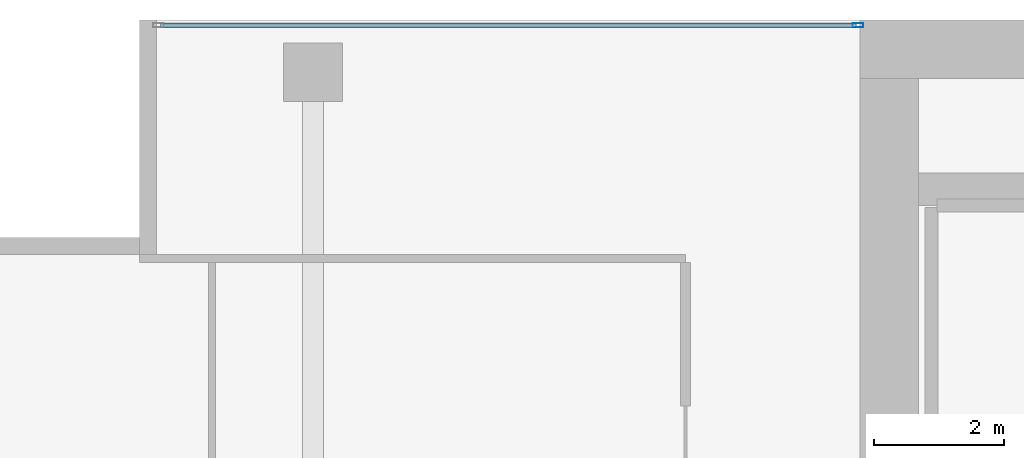
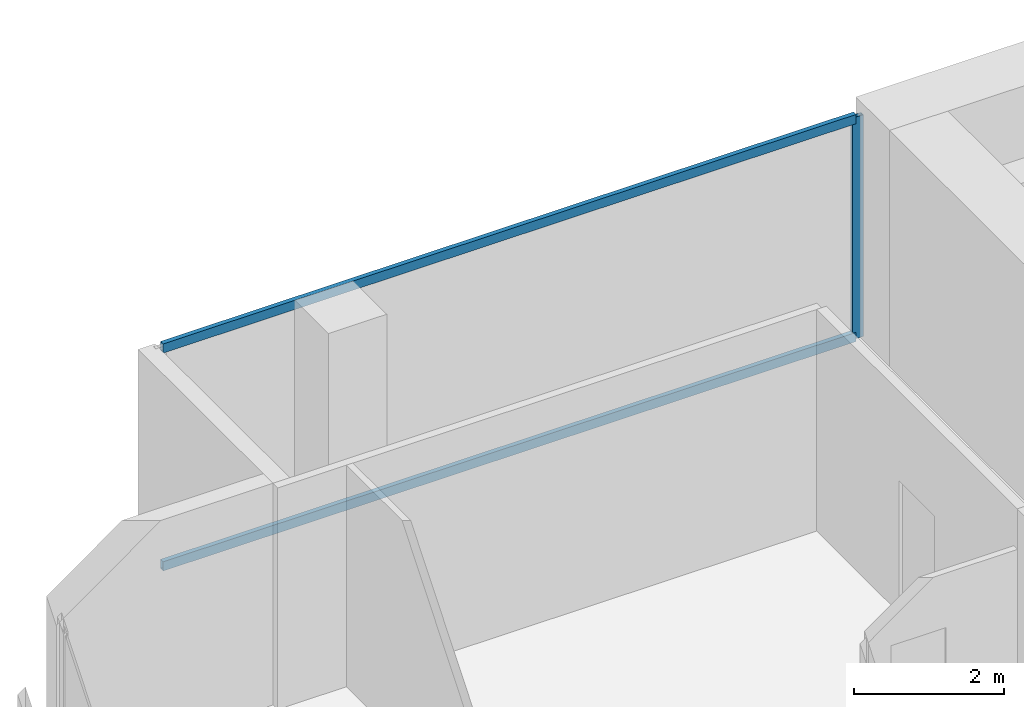
# One storey, part 26 of 41: 3 members, 1 element without a shape of its own.
"""IFC4 building model written with IfcOpenShell, lengths in metres."""

from ifc_helpers import new_model, si_unit, direction, frame, origin, origin_2d, place, context, subcontext, project, spatial, hollow_rectangle, extrude, material, layer, layer_set, material_profile, profile_set, type_object, element, aggregate, save


model = new_model("IFC4")

# Units and contexts
model_context = context("Model", 3, precision=1e-05, world=origin(), true_north=direction((0.0, 1.0)))
body_context = subcontext(model_context, "Body", "Model", "MODEL_VIEW")
ifc_project = project(units=[si_unit("LENGTHUNIT", "METRE"), si_unit("AREAUNIT", "SQUARE_METRE"), si_unit("VOLUMEUNIT", "CUBIC_METRE"), si_unit("PLANEANGLEUNIT", "RADIAN"), si_unit("MASSUNIT", "GRAM", prefix="KILO")], contexts=[model_context])

# Site, building, storey
site_placement = place(None, origin())
site = spatial("IfcSite", under=ifc_project, at=site_placement, CompositionType="ELEMENT")
building_placement = place(site_placement, origin())
building = spatial("IfcBuilding", under=site, at=building_placement, Name="Maruvema Waterfront Hotel and Observation Tower", CompositionType="ELEMENT")
storey_placement = place(building_placement, frame((0.0, 0.0, 61.60009765625)))
storey = spatial("IfcBuildingStorey", under=building, at=storey_placement, Name="L14", CompositionType="ELEMENT", Elevation=61.60009765625)

# Curtain wall, members
ifc_material_1 = material(Name="Anodised bronze aluminium and solar-control low-E IGU", Category="aluminium")
ifc_layer = layer(ifc_material_1, 0.159912109375, Name="Zone 1 Bronze Inner Thermal Curtain Wall System CW-02")
ifc_layer_set = layer_set([ifc_layer], Name="Anodised bronze aluminium and solar-control low-E IGU")
curtain_wall_type = type_object("IfcCurtainWallType", Name="Zone 1 Bronze Inner Thermal Curtain Wall System CW-02", PredefinedType="USERDEFINED", material=ifc_layer_set)
curtain_wall_placement = place(storey_placement, origin())
curtain_wall = element("IfcCurtainWall", 1, at=curtain_wall_placement, inside=storey, type_object=curtain_wall_type, Name="L14 Curtain Wall CW-L14-NW", ObjectType="UNITISED CURTAIN WALL", PredefinedType="USERDEFINED")
ifc_material_2 = material(Name="Anodised architectural bronze aluminium", Category="aluminium")
ifc_material_profile_1 = material_profile(ifc_material_2, hollow_rectangle(XDim=0.070068359375, YDim=0.14990234375, WallThickness=0.00390625, at=origin_2d()), Name="ALU-T70x150")
ifc_profile_set_1 = profile_set([ifc_material_profile_1], Name="Anodised architectural bronze aluminium")
member_type_1 = type_object("IfcMemberType", Name="Curtain Wall Horizontal Transom ALU-T70x150", PredefinedType="USERDEFINED", material=ifc_profile_set_1)
member_1_placement = place(storey_placement, frame((25.139892578125, 53.919921875, 0.02978515625), z_axis=(-1.0, 0.0, 0.0), x_axis=(0.0, -1.0, 0.0)))
member_1 = element("IfcMember", 2, at=member_1_placement, type_object=member_type_1, Name="CW-02 transom 1.1", ObjectType="TRANSOM", PredefinedType="USERDEFINED", context=body_context, shape_type="SweptSolid", body=[
    extrude(hollow_rectangle(XDim=0.070068359375, YDim=0.14990234375, WallThickness=0.00390625, at=origin_2d()), origin(), (0.0, 0.0, 1.0), 10.679931640625),
])
member_2_placement = place(storey_placement, frame((25.139892578125, 53.919921875, 3.579833984375), z_axis=(-1.0, 0.0, 0.0), x_axis=(0.0, -1.0, 0.0)))
member_2 = element("IfcMember", 3, at=member_2_placement, type_object=member_type_1, Name="CW-02 transom 1.2", ObjectType="TRANSOM", PredefinedType="USERDEFINED", context=body_context, shape_type="SweptSolid", body=[
    extrude(hollow_rectangle(XDim=0.070068359375, YDim=0.14990234375, WallThickness=0.00390625, at=origin_2d()), origin(), (0.0, 0.0, 1.0), 10.679931640625),
])
ifc_material_3 = material(Name="Anodised architectural bronze aluminium", Category="aluminium")
ifc_material_profile_2 = material_profile(ifc_material_3, hollow_rectangle(XDim=0.06494140625, YDim=0.1650390625, WallThickness=0.00390625, at=origin_2d()), Name="ALU-M65x165")
ifc_profile_set_2 = profile_set([ifc_material_profile_2], Name="Anodised architectural bronze aluminium")
member_type_2 = type_object("IfcMemberType", Name="Curtain Wall Primary Mullion ALU-M65x165", PredefinedType="MULLION", material=ifc_profile_set_2)
member_3_placement = place(storey_placement, frame((25.169921875, 53.919921875, 0.0), z_axis=(0.0, 0.0, 1.0), x_axis=(0.0, -1.0, 0.0)))
member_3 = element("IfcMember", 4, at=member_3_placement, type_object=member_type_2, Name="CW-02 mullion 1", PredefinedType="MULLION", context=body_context, shape_type="SweptSolid", body=[
    extrude(hollow_rectangle(XDim=0.06494140625, YDim=0.1650390625, WallThickness=0.00390625, at=origin_2d()), origin(), (0.0, 0.0, 1.0), 3.60986328125),
])
aggregate(curtain_wall, [member_3, member_1, member_2])

save(model, "model.ifc")
